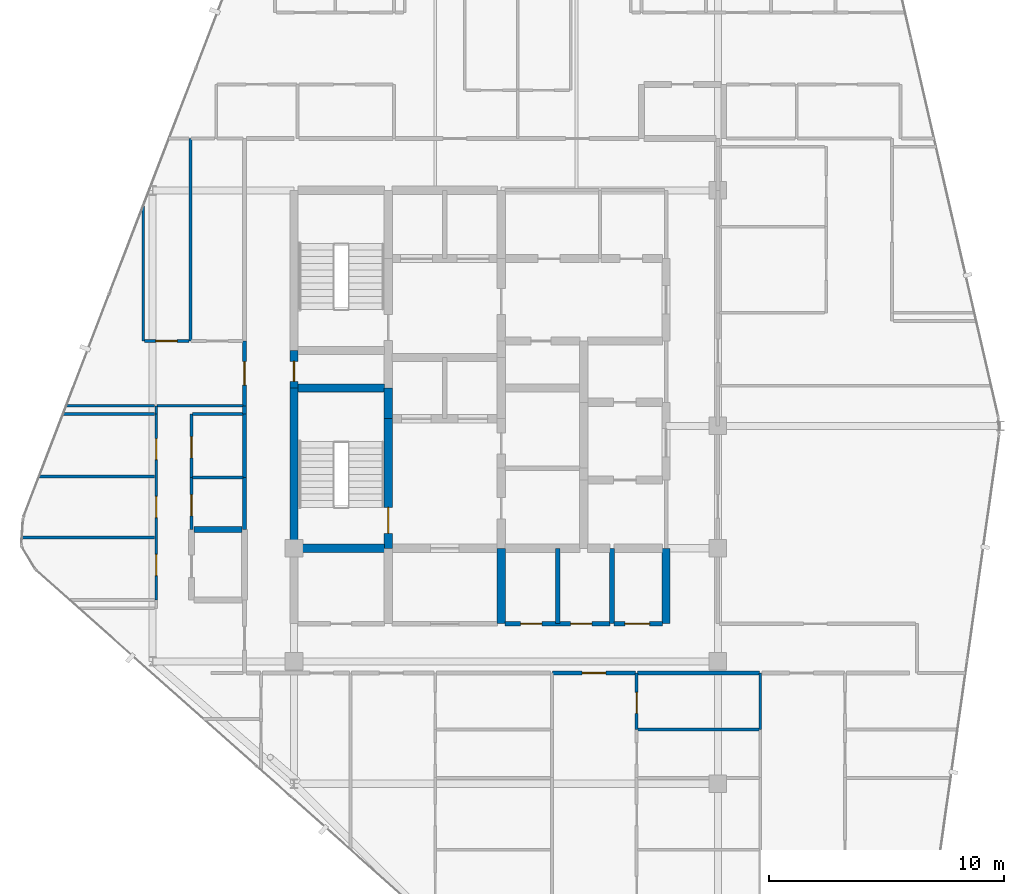
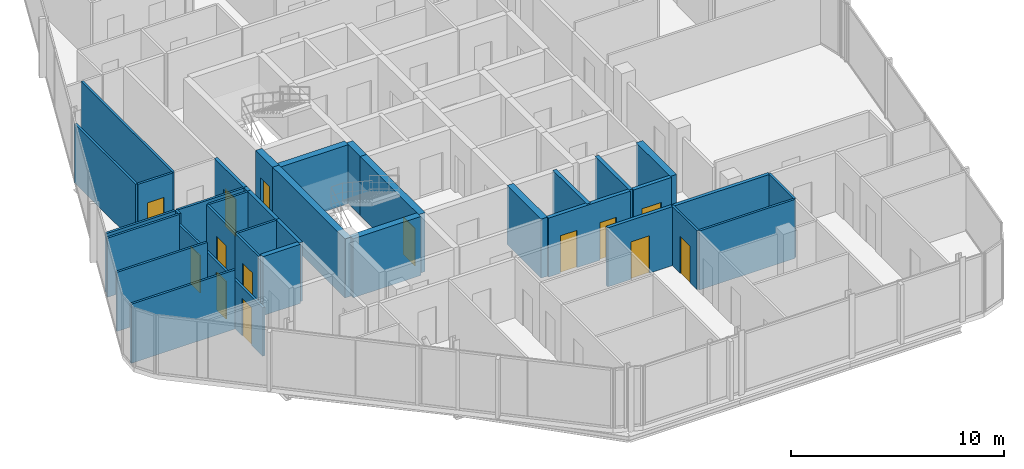
# One storey, part 23 of 28: 36 walls, 14 doors, 14 openings.
"""IFC4 building model written with IfcOpenShell, lengths in metres."""

from ifc_helpers import new_model, si_unit, direction, frame, frame_2d, origin, place, context, subcontext, project, spatial, rectangle, extrude, material, layer, layer_set, type_object, element, fill, save


model = new_model("IFC4")

# Units and contexts
model_context = context("Model", 3, precision=1e-05, world=origin(), true_north=direction((0.0, 1.0)))
body_context = subcontext(model_context, "Body", "Model", "MODEL_VIEW")
ifc_project = project(units=[si_unit("LENGTHUNIT", "METRE"), si_unit("AREAUNIT", "SQUARE_METRE"), si_unit("VOLUMEUNIT", "CUBIC_METRE"), si_unit("PLANEANGLEUNIT", "RADIAN"), si_unit("MASSUNIT", "GRAM", prefix="KILO")], contexts=[model_context])

# Site, building, storey
site_placement = place(None, origin())
site = spatial("IfcSite", under=ifc_project, at=site_placement, CompositionType="ELEMENT")
building_placement = place(site_placement, origin())
building = spatial("IfcBuilding", under=site, at=building_placement, Name="Keshet Zoharim Tower", CompositionType="ELEMENT")
storey_placement = place(building_placement, frame((0.0, 0.0, 258.39990234375)))
storey = spatial("IfcBuildingStorey", under=building, at=storey_placement, Name="L64", CompositionType="ELEMENT", Elevation=258.39990234375)

# Wall
ifc_material_1 = material(Name="Concrete C60/75", Category="concrete")
ifc_layer_1 = layer(ifc_material_1, 0.35009765625)
ifc_layer_set_1 = layer_set([ifc_layer_1], Name="Concrete C60/75")
wall_type_1 = type_object("IfcWallType", Name="WL-CORE-350", PredefinedType="SHEAR", material=ifc_layer_set_1)
wall_1_placement = place(storey_placement, frame((15.0, 22.699951171875, 0.0), z_axis=(0.0, 0.0, 1.0), x_axis=(0.0, 1.0, 0.0)))
element("IfcWall", 1, at=wall_1_placement, inside=storey, type_object=wall_type_1, Name="L64 Core Shear Wall 021", PredefinedType="SHEAR", context=body_context, shape_type="SweptSolid", body=[
    extrude(rectangle(XDim=6.800048828125, YDim=0.35009765625, at=frame_2d((3.39990234375, 0.0))), origin(), (0.0, 0.0, 1.0), 3.39013671875),
])

# Wall, opening, door
wall_2_placement = place(storey_placement, frame((15.0, 29.5, 0.0), z_axis=(0.0, 0.0, 1.0), x_axis=(0.0, 1.0, 0.0)))
wall_2 = element("IfcWall", 2, at=wall_2_placement, inside=storey, type_object=wall_type_1, Name="L64 Core Shear Wall 022", PredefinedType="SHEAR", context=body_context, shape_type="SweptSolid", body=[
    extrude(rectangle(XDim=1.60009765625, YDim=0.35009765625, at=frame_2d((0.800048828125, 0.0))), origin(), (0.0, 0.0, 1.0), 3.39013671875),
])
opening_1_placement = place(wall_2_placement, frame((0.287109375, 0.0, 0.0)))
opening_1 = element("IfcOpeningElement", 3, at=opening_1_placement, cuts=wall_2, Name="Opening D-RS85", PredefinedType="OPENING", context=body_context, shape_type="SweptSolid", body=[
    extrude(rectangle(XDim=0.85009765625, YDim=2.10009765625, at=frame_2d((0.425048828125, 1.050048828125))), frame((0.0, 0.18505859375, 0.0), z_axis=(0.0, -1.0, 0.0), x_axis=(1.0, 0.0, 0.0)), (0.0, 0.0, 1.0), 0.3701171875),
])
ifc_material_2 = material(Name="Hardwood Timber", Category="wood")
door_type_1 = type_object("IfcDoorType", Name="DR-RIS-085", OperationType="NOTDEFINED", PredefinedType="DOOR", material=ifc_material_2)
door_1_placement = place(opening_1_placement, origin())
door_1 = element("IfcDoor", 4, at=door_1_placement, inside=storey, type_object=door_type_1, Name="L64 Electrical Riser Access Cupboard Door", OperationType="SINGLE_SWING_RIGHT", OverallHeight=2.10009765625, OverallWidth=0.85009765625, PredefinedType="DOOR", context=body_context, shape_type="SweptSolid", body=[
    extrude(rectangle(XDim=0.85009765625, YDim=2.10009765625, at=frame_2d((0.425048828125, 1.050048828125))), frame((0.0, 0.02490234375, 0.0), z_axis=(0.0, -1.0, 0.0), x_axis=(1.0, 0.0, 0.0)), (0.0, 0.0, 1.0), 0.050048828125),
])
fill(opening_1, door_1)

wall_3_placement = place(storey_placement, frame((19.0, 22.699951171875, 0.0), z_axis=(0.0, 0.0, 1.0), x_axis=(0.0, 1.0, 0.0)))
wall_3 = element("IfcWall", 5, at=wall_3_placement, inside=storey, type_object=wall_type_1, Name="L64 Core Shear Wall 028", PredefinedType="SHEAR", context=body_context, shape_type="SweptSolid", body=[
    extrude(rectangle(XDim=5.5, YDim=0.35009765625, at=frame_2d((2.75, 0.0))), origin(), (0.0, 0.0, 1.0), 3.39013671875),
])
opening_2_placement = place(wall_3_placement, frame((0.631103515625, 0.0, 0.0)))
opening_2 = element("IfcOpeningElement", 6, at=opening_2_placement, cuts=wall_3, Name="Opening D-F611", PredefinedType="OPENING", context=body_context, shape_type="SweptSolid", body=[
    extrude(rectangle(XDim=1.10009765625, YDim=2.14990234375, at=frame_2d((0.550048828125, 1.074951171875))), frame((0.0, 0.18505859375, 0.0), z_axis=(0.0, -1.0, 0.0), x_axis=(1.0, 0.0, 0.0)), (0.0, 0.0, 1.0), 0.3701171875),
])
door_type_2 = type_object("IfcDoorType", Name="DR-FD60-110", OperationType="NOTDEFINED", PredefinedType="DOOR", material=ifc_material_2)
door_2_placement = place(opening_2_placement, origin())
door_2 = element("IfcDoor", 7, at=door_2_placement, inside=storey, type_object=door_type_2, Name="L64 Exit Stair ST-01 Fire Door", OperationType="SINGLE_SWING_LEFT", OverallHeight=2.14990234375, OverallWidth=1.10009765625, PredefinedType="DOOR", context=body_context, shape_type="SweptSolid", body=[
    extrude(rectangle(XDim=1.10009765625, YDim=2.14990234375, at=frame_2d((0.550048828125, 1.074951171875))), frame((0.0, 0.02490234375, 0.0), z_axis=(0.0, -1.0, 0.0), x_axis=(1.0, 0.0, 0.0)), (0.0, 0.0, 1.0), 0.050048828125),
])
fill(opening_2, door_2)

# Walls
wall_4_placement = place(storey_placement, frame((19.0, 28.199951171875, 0.0), z_axis=(0.0, 0.0, 1.0), x_axis=(0.0, 1.0, 0.0)))
element("IfcWall", 8, at=wall_4_placement, inside=storey, type_object=wall_type_1, Name="L64 Core Shear Wall 029", PredefinedType="SHEAR", context=body_context, shape_type="SweptSolid", body=[
    extrude(rectangle(XDim=1.300048828125, YDim=0.35009765625, at=frame_2d((0.64990234375, 0.0))), origin(), (0.0, 0.0, 1.0), 3.39013671875),
])
for number, where, z_axis, x_axis, name in (
    (9, (23.800048828125, 19.5, 0.0), (0.0, 0.0, 1.0), (0.0, 1.0, 0.0), "L64 Core Shear Wall 041"),
    (10, (30.800048828125, 19.5, 0.0), (0.0, 0.0, 1.0), (0.0, 1.0, 0.0), "L64 Core Shear Wall 067"),
):
    element("IfcWall", number, at=place(storey_placement, frame(where, z_axis=z_axis, x_axis=x_axis)), inside=storey, type_object=wall_type_1, Name=name, PredefinedType="SHEAR", context=body_context, shape_type="SweptSolid", body=[
        extrude(rectangle(XDim=3.199951171875, YDim=0.35009765625, at=frame_2d((1.60009765625, 0.0))), origin(), (0.0, 0.0, 1.0), 3.39013671875),
    ])
for number, where, z_axis, x_axis, name in (
    (11, (15.159912109375, 22.699951171875, 0.0), (0.0, 0.0, 1.0), (1.0, 0.0, 0.0), "L64 Core Shear Wall 123"),
    (12, (15.159912109375, 29.5, 0.0), (0.0, 0.0, 1.0), (1.0, 0.0, 0.0), "L64 Core Shear Wall 140"),
):
    element("IfcWall", number, at=place(storey_placement, frame(where, z_axis=z_axis, x_axis=x_axis)), inside=storey, type_object=wall_type_1, Name=name, PredefinedType="SHEAR", context=body_context, shape_type="SweptSolid", body=[
        extrude(rectangle(XDim=3.68017578125, YDim=0.35009765625, at=frame_2d((1.840087890625, 0.0))), origin(), (0.0, 0.0, 1.0), 3.39013671875),
    ])
ifc_material_3 = material(Name="Gypsum Plasterboard", Category="gypsum")
ifc_layer_2 = layer(ifc_material_3, 0.179931640625)
ifc_layer_set_2 = layer_set([ifc_layer_2], Name="Gypsum Plasterboard")
wall_type_2 = type_object("IfcWallType", Name="WL-CORR-180", PredefinedType="STANDARD", material=ifc_layer_set_2)
wall_5_placement = place(storey_placement, frame((12.89990234375, 23.501953125, 0.0), z_axis=(0.0, 0.0, 1.0), x_axis=(0.0, 1.0, 0.0)))
element("IfcWall", 13, at=wall_5_placement, inside=storey, type_object=wall_type_2, Name="L64 Interior Wall 012", PredefinedType="STANDARD", context=body_context, shape_type="SweptSolid", body=[
    extrude(rectangle(XDim=2.212158203125, YDim=0.179931640625, at=frame_2d((1.10595703125, 0.0))), origin(), (0.0, 0.0, 1.0), 3.39013671875),
])
wall_6_placement = place(storey_placement, frame((12.89990234375, 25.714111328125, 0.0), z_axis=(0.0, 0.0, 1.0), x_axis=(0.0, 1.0, 0.0)))
element("IfcWall", 14, at=wall_6_placement, inside=storey, type_object=wall_type_2, Name="L64 Interior Wall 013", PredefinedType="STANDARD", context=body_context, shape_type="SweptSolid", body=[
    extrude(rectangle(XDim=2.685791015625, YDim=0.179931640625, at=frame_2d((1.3427734375, 0.0))), origin(), (0.0, 0.0, 1.0), 3.39013671875),
])
wall_7_placement = place(storey_placement, frame((12.89990234375, 28.39990234375, 0.0), z_axis=(0.0, 0.0, 1.0), x_axis=(0.0, 1.0, 0.0)))
element("IfcWall", 15, at=wall_7_placement, inside=storey, type_object=wall_type_2, Name="L64 Interior Wall 014", PredefinedType="STANDARD", context=body_context, shape_type="SweptSolid", body=[
    extrude(rectangle(XDim=0.35009765625, YDim=0.179931640625, at=frame_2d((0.175048828125, 0.0))), origin(), (0.0, 0.0, 1.0), 3.39013671875),
])

# Wall, opening, door
wall_8_placement = place(storey_placement, frame((12.89990234375, 28.75, 0.0), z_axis=(0.0, 0.0, 1.0), x_axis=(0.0, 1.0, 0.0)))
wall_8 = element("IfcWall", 16, at=wall_8_placement, inside=storey, type_object=wall_type_2, Name="L64 Interior Wall 015", PredefinedType="STANDARD", context=body_context, shape_type="SweptSolid", body=[
    extrude(rectangle(XDim=2.75, YDim=0.179931640625, at=frame_2d((1.375, 0.0))), origin(), (0.0, 0.0, 1.0), 3.39013671875),
])
opening_3_placement = place(wall_8_placement, frame((0.875, 0.0, 0.0)))
opening_3 = element("IfcOpeningElement", 17, at=opening_3_placement, cuts=wall_8, Name="Opening D-F310", PredefinedType="OPENING", context=body_context, shape_type="SweptSolid", body=[
    extrude(rectangle(XDim=1.0, YDim=2.14990234375, at=frame_2d((0.5, 1.074951171875))), frame((0.0, 0.10009765625, 0.0), z_axis=(0.0, -1.0, 0.0), x_axis=(1.0, 0.0, 0.0)), (0.0, 0.0, 1.0), 0.199951171875),
])
door_type_3 = type_object("IfcDoorType", Name="DR-FD30-100", OperationType="NOTDEFINED", PredefinedType="DOOR", material=ifc_material_2)
door_3_placement = place(opening_3_placement, origin())
door_3 = element("IfcDoor", 18, at=door_3_placement, inside=storey, type_object=door_type_3, Name="Apartment 6408 Entrance Door", OperationType="SINGLE_SWING_LEFT", OverallHeight=2.14990234375, OverallWidth=1.0, PredefinedType="DOOR", context=body_context, shape_type="SweptSolid", body=[
    extrude(rectangle(XDim=1.0, YDim=2.14990234375, at=frame_2d((0.5, 1.074951171875))), frame((0.0, 0.02490234375, 0.0), z_axis=(0.0, -1.0, 0.0), x_axis=(1.0, 0.0, 0.0)), (0.0, 0.0, 1.0), 0.050048828125),
])
fill(opening_3, door_3)

wall_9_placement = place(storey_placement, frame((25.985107421875, 17.39990234375, 0.0), z_axis=(0.0, 0.0, 1.0), x_axis=(1.0, 0.0, 0.0)))
wall_9 = element("IfcWall", 19, at=wall_9_placement, inside=storey, type_object=wall_type_2, Name="L64 Interior Wall 110", PredefinedType="STANDARD", context=body_context, shape_type="SweptSolid", body=[
    extrude(rectangle(XDim=3.510009765625, YDim=0.179931640625, at=frame_2d((1.7548828125, 0.0))), origin(), (0.0, 0.0, 1.0), 3.39013671875),
])
opening_4_placement = place(wall_9_placement, frame((1.2548828125, 0.0, 0.0)))
opening_4 = element("IfcOpeningElement", 20, at=opening_4_placement, cuts=wall_9, Name="Opening D-F310", PredefinedType="OPENING", context=body_context, shape_type="SweptSolid", body=[
    extrude(rectangle(XDim=1.0, YDim=2.14990234375, at=frame_2d((0.5, 1.074951171875))), frame((0.0, 0.10009765625, 0.0), z_axis=(0.0, -1.0, 0.0), x_axis=(1.0, 0.0, 0.0)), (0.0, 0.0, 1.0), 0.199951171875),
])
door_4_placement = place(opening_4_placement, origin())
door_4 = element("IfcDoor", 21, at=door_4_placement, inside=storey, type_object=door_type_3, Name="Apartment 6403 Entrance Door", OperationType="SINGLE_SWING_RIGHT", OverallHeight=2.14990234375, OverallWidth=1.0, PredefinedType="DOOR", context=body_context, shape_type="SweptSolid", body=[
    extrude(rectangle(XDim=1.0, YDim=2.14990234375, at=frame_2d((0.5, 1.074951171875))), frame((0.0, 0.02490234375, 0.0), z_axis=(0.0, -1.0, 0.0), x_axis=(1.0, 0.0, 0.0)), (0.0, 0.0, 1.0), 0.050048828125),
])
fill(opening_4, door_4)

# Walls
wall_10_placement = place(storey_placement, frame((29.5849609375, 17.39990234375, 0.0), z_axis=(0.0, 0.0, 1.0), x_axis=(1.0, 0.0, 0.0)))
element("IfcWall", 22, at=wall_10_placement, inside=storey, type_object=wall_type_2, Name="L64 Interior Wall 111", PredefinedType="STANDARD", context=body_context, shape_type="SweptSolid", body=[
    extrude(rectangle(XDim=5.18994140625, YDim=0.179931640625, at=frame_2d((2.594970703125, 0.0))), origin(), (0.0, 0.0, 1.0), 3.39013671875),
])
ifc_material_4 = material(Name="Concrete C50/60", Category="concrete")
ifc_layer_3 = layer(ifc_material_4, 0.199951171875)
ifc_layer_set_3 = layer_set([ifc_layer_3], Name="Concrete C50/60")
wall_type_3 = type_object("IfcWallType", Name="WL-FIRE-200", PredefinedType="STANDARD", material=ifc_layer_set_3)
for number, where, z_axis, x_axis, name in (
    (23, (26.199951171875, 19.5, 0.0), (0.0, 0.0, 1.0), (0.0, 1.0, 0.0), "L64 Interior Wall 053"),
    (24, (28.5, 19.5, 0.0), (0.0, 0.0, 1.0), (0.0, 1.0, 0.0), "L64 Interior Wall 060"),
):
    element("IfcWall", number, at=place(storey_placement, frame(where, z_axis=z_axis, x_axis=x_axis)), inside=storey, type_object=wall_type_3, Name=name, PredefinedType="STANDARD", context=body_context, shape_type="SweptSolid", body=[
        extrude(rectangle(XDim=3.199951171875, YDim=0.199951171875, at=frame_2d((1.60009765625, 0.0))), origin(), (0.0, 0.0, 1.0), 3.39013671875),
    ])

# Wall, openings, doors
wall_11_placement = place(storey_placement, frame((23.9599609375, 19.5, 0.0), z_axis=(0.0, 0.0, 1.0), x_axis=(1.0, 0.0, 0.0)))
wall_11 = element("IfcWall", 25, at=wall_11_placement, inside=storey, type_object=wall_type_3, Name="L64 Interior Wall 117", PredefinedType="STANDARD", context=body_context, shape_type="SweptSolid", body=[
    extrude(rectangle(XDim=4.455078125, YDim=0.199951171875, at=frame_2d((2.2275390625, 0.0))), origin(), (0.0, 0.0, 1.0), 3.39013671875),
])
opening_5_placement = place(wall_11_placement, frame((0.6650390625, 0.0, 0.0)))
opening_5 = element("IfcOpeningElement", 26, at=opening_5_placement, cuts=wall_11, Name="Opening D-F690", PredefinedType="OPENING", context=body_context, shape_type="SweptSolid", body=[
    extrude(rectangle(XDim=0.89990234375, YDim=2.14990234375, at=frame_2d((0.449951171875, 1.074951171875))), frame((0.0, 0.10986328125, 0.0), z_axis=(0.0, -1.0, 0.0), x_axis=(1.0, 0.0, 0.0)), (0.0, 0.0, 1.0), 0.219970703125),
])
opening_6_placement = place(wall_11_placement, frame((2.791015625, 0.0, 0.0)))
opening_6 = element("IfcOpeningElement", 27, at=opening_6_placement, cuts=wall_11, Name="Opening D-F690", PredefinedType="OPENING", context=body_context, shape_type="SweptSolid", body=[
    extrude(rectangle(XDim=0.89990234375, YDim=2.14990234375, at=frame_2d((0.449951171875, 1.074951171875))), frame((0.0, 0.10986328125, 0.0), z_axis=(0.0, -1.0, 0.0), x_axis=(1.0, 0.0, 0.0)), (0.0, 0.0, 1.0), 0.219970703125),
])
door_type_4 = type_object("IfcDoorType", Name="DR-FD60-090", OperationType="NOTDEFINED", PredefinedType="DOOR", material=ifc_material_2)
door_5_placement = place(opening_5_placement, origin())
door_5 = element("IfcDoor", 28, at=door_5_placement, inside=storey, type_object=door_type_4, Name="L64 Switchgear Room Door", OperationType="SINGLE_SWING_RIGHT", OverallHeight=2.14990234375, OverallWidth=0.89990234375, PredefinedType="DOOR", context=body_context, shape_type="SweptSolid", body=[
    extrude(rectangle(XDim=0.89990234375, YDim=2.14990234375, at=frame_2d((0.449951171875, 1.074951171875))), frame((0.0, 0.02490234375, 0.0), z_axis=(0.0, -1.0, 0.0), x_axis=(1.0, 0.0, 0.0)), (0.0, 0.0, 1.0), 0.050048828125),
])
fill(opening_5, door_5)
door_6_placement = place(opening_6_placement, origin())
door_6 = element("IfcDoor", 29, at=door_6_placement, inside=storey, type_object=door_type_4, Name="L64 Telecom Room Door", OperationType="SINGLE_SWING_LEFT", OverallHeight=2.14990234375, OverallWidth=0.89990234375, PredefinedType="DOOR", context=body_context, shape_type="SweptSolid", body=[
    extrude(rectangle(XDim=0.89990234375, YDim=2.14990234375, at=frame_2d((0.449951171875, 1.074951171875))), frame((0.0, 0.02490234375, 0.0), z_axis=(0.0, -1.0, 0.0), x_axis=(1.0, 0.0, 0.0)), (0.0, 0.0, 1.0), 0.050048828125),
])
fill(opening_6, door_6)

# Wall, opening, door
wall_12_placement = place(storey_placement, frame((28.5849609375, 19.5, 0.0), z_axis=(0.0, 0.0, 1.0), x_axis=(1.0, 0.0, 0.0)))
wall_12 = element("IfcWall", 30, at=wall_12_placement, inside=storey, type_object=wall_type_3, Name="L64 Interior Wall 118", PredefinedType="STANDARD", context=body_context, shape_type="SweptSolid", body=[
    extrude(rectangle(XDim=2.054931640625, YDim=0.199951171875, at=frame_2d((1.02734375, 0.0))), origin(), (0.0, 0.0, 1.0), 3.39013671875),
])
opening_7_placement = place(wall_12_placement, frame((0.466064453125, 0.0, 0.0)))
opening_7 = element("IfcOpeningElement", 31, at=opening_7_placement, cuts=wall_12, Name="Opening D-AC10", PredefinedType="OPENING", context=body_context, shape_type="SweptSolid", body=[
    extrude(rectangle(XDim=1.050048828125, YDim=2.14990234375, at=frame_2d((0.52490234375, 1.074951171875))), frame((0.0, 0.10986328125, 0.0), z_axis=(0.0, -1.0, 0.0), x_axis=(1.0, 0.0, 0.0)), (0.0, 0.0, 1.0), 0.219970703125),
])
door_type_5 = type_object("IfcDoorType", Name="DR-ACC-105", OperationType="NOTDEFINED", PredefinedType="DOOR", material=ifc_material_2)
door_7_placement = place(opening_7_placement, origin())
door_7 = element("IfcDoor", 32, at=door_7_placement, inside=storey, type_object=door_type_5, Name="L64 Accessible WC Door", OperationType="SINGLE_SWING_RIGHT", OverallHeight=2.14990234375, OverallWidth=1.050048828125, PredefinedType="DOOR", context=body_context, shape_type="SweptSolid", body=[
    extrude(rectangle(XDim=1.050048828125, YDim=2.14990234375, at=frame_2d((0.52490234375, 1.074951171875))), frame((0.0, 0.02490234375, 0.0), z_axis=(0.0, -1.0, 0.0), x_axis=(1.0, 0.0, 0.0)), (0.0, 0.0, 1.0), 0.050048828125),
])
fill(opening_7, door_7)

# Walls
ifc_layer_4 = layer(ifc_material_4, 0.25)
ifc_layer_set_4 = layer_set([ifc_layer_4], Name="Concrete C50/60")
wall_type_4 = type_object("IfcWallType", Name="WL-MAMAD-250", PredefinedType="STANDARD", material=ifc_layer_set_4)
wall_13_placement = place(storey_placement, frame((10.760009765625, 23.5, 0.0), z_axis=(0.0, 0.0, 1.0), x_axis=(1.0, 0.0, 0.0)))
element("IfcWall", 33, at=wall_13_placement, inside=storey, type_object=wall_type_4, Name="L64 Interior Wall 129", PredefinedType="STANDARD", context=body_context, shape_type="SweptSolid", body=[
    extrude(rectangle(XDim=2.030029296875, YDim=0.25, at=frame_2d((1.01513671875, 0.0))), origin(), (0.0, 0.0, 1.0), 3.39013671875),
])
ifc_layer_5 = layer(ifc_material_3, 0.1201171875)
ifc_layer_set_5 = layer_set([ifc_layer_5], Name="Gypsum Plasterboard")
wall_type_5 = type_object("IfcWallType", Name="WL-PART-120", PredefinedType="PARTITIONING", material=ifc_layer_set_5)
wall_14_placement = place(storey_placement, frame((8.60009765625, 31.5, 0.0), z_axis=(0.0, 0.0, 1.0), x_axis=(0.0, 1.0, 0.0)))
element("IfcWall", 34, at=wall_14_placement, inside=storey, type_object=wall_type_5, Name="L64 Interior Wall 001", PredefinedType="PARTITIONING", context=body_context, shape_type="SweptSolid", body=[
    extrude(rectangle(XDim=5.75, YDim=0.1201171875, at=frame_2d((2.875, 0.0))), origin(), (0.0, 0.0, 1.0), 3.39013671875),
])

# Wall, openings, doors
wall_15_placement = place(storey_placement, frame((9.14990234375, 20.5, 0.0), z_axis=(0.0, 0.0, 1.0), x_axis=(0.0, 1.0, 0.0)))
wall_15 = element("IfcWall", 35, at=wall_15_placement, inside=storey, type_object=wall_type_5, Name="L64 Interior Wall 003", PredefinedType="PARTITIONING", context=body_context, shape_type="SweptSolid", body=[
    extrude(rectangle(XDim=7.89990234375, YDim=0.1201171875, at=frame_2d((3.949951171875, 0.0))), origin(), (0.0, 0.0, 1.0), 2.7900390625),
])
opening_8_placement = place(wall_15_placement, frame((1.041015625, 0.0, 0.0)))
opening_8 = element("IfcOpeningElement", 36, at=opening_8_placement, cuts=wall_15, Name="Opening D-IN90", PredefinedType="OPENING", context=body_context, shape_type="SweptSolid", body=[
    extrude(rectangle(XDim=0.89990234375, YDim=2.14990234375, at=frame_2d((0.449951171875, 1.074951171875))), frame((0.0, 0.070068359375, 0.0), z_axis=(0.0, -1.0, 0.0), x_axis=(1.0, 0.0, 0.0)), (0.0, 0.0, 1.0), 0.14013671875),
])
opening_9_placement = place(wall_15_placement, frame((3.5, 0.0, 0.0)))
opening_9 = element("IfcOpeningElement", 37, at=opening_9_placement, cuts=wall_15, Name="Opening D-IN90", PredefinedType="OPENING", context=body_context, shape_type="SweptSolid", body=[
    extrude(rectangle(XDim=0.89990234375, YDim=2.14990234375, at=frame_2d((0.449951171875, 1.074951171875))), frame((0.0, 0.070068359375, 0.0), z_axis=(0.0, -1.0, 0.0), x_axis=(1.0, 0.0, 0.0)), (0.0, 0.0, 1.0), 0.14013671875),
])
opening_10_placement = place(wall_15_placement, frame((5.958984375, 0.0, 0.0)))
opening_10 = element("IfcOpeningElement", 38, at=opening_10_placement, cuts=wall_15, Name="Opening D-IN90", PredefinedType="OPENING", context=body_context, shape_type="SweptSolid", body=[
    extrude(rectangle(XDim=0.89990234375, YDim=2.14990234375, at=frame_2d((0.449951171875, 1.074951171875))), frame((0.0, 0.070068359375, 0.0), z_axis=(0.0, -1.0, 0.0), x_axis=(1.0, 0.0, 0.0)), (0.0, 0.0, 1.0), 0.14013671875),
])
door_type_6 = type_object("IfcDoorType", Name="DR-INT-090", OperationType="NOTDEFINED", PredefinedType="DOOR", material=ifc_material_2)
door_8_placement = place(opening_8_placement, origin())
door_8 = element("IfcDoor", 39, at=door_8_placement, inside=storey, type_object=door_type_6, Name="Apartment 6407 Bedroom 1 Door", OperationType="SINGLE_SWING_RIGHT", OverallHeight=2.14990234375, OverallWidth=0.89990234375, PredefinedType="DOOR", context=body_context, shape_type="SweptSolid", body=[
    extrude(rectangle(XDim=0.89990234375, YDim=2.14990234375, at=frame_2d((0.449951171875, 1.074951171875))), frame((0.0, 0.02490234375, 0.0), z_axis=(0.0, -1.0, 0.0), x_axis=(1.0, 0.0, 0.0)), (0.0, 0.0, 1.0), 0.050048828125),
])
fill(opening_8, door_8)
door_9_placement = place(opening_9_placement, origin())
door_9 = element("IfcDoor", 40, at=door_9_placement, inside=storey, type_object=door_type_6, Name="Apartment 6407 Bedroom 2 Door", OperationType="SINGLE_SWING_LEFT", OverallHeight=2.14990234375, OverallWidth=0.89990234375, PredefinedType="DOOR", context=body_context, shape_type="SweptSolid", body=[
    extrude(rectangle(XDim=0.89990234375, YDim=2.14990234375, at=frame_2d((0.449951171875, 1.074951171875))), frame((0.0, 0.02490234375, 0.0), z_axis=(0.0, -1.0, 0.0), x_axis=(1.0, 0.0, 0.0)), (0.0, 0.0, 1.0), 0.050048828125),
])
fill(opening_9, door_9)
door_10_placement = place(opening_10_placement, origin())
door_10 = element("IfcDoor", 41, at=door_10_placement, inside=storey, type_object=door_type_6, Name="Apartment 6407 Bedroom 3 Door", OperationType="SINGLE_SWING_RIGHT", OverallHeight=2.14990234375, OverallWidth=0.89990234375, PredefinedType="DOOR", context=body_context, shape_type="SweptSolid", body=[
    extrude(rectangle(XDim=0.89990234375, YDim=2.14990234375, at=frame_2d((0.449951171875, 1.074951171875))), frame((0.0, 0.02490234375, 0.0), z_axis=(0.0, -1.0, 0.0), x_axis=(1.0, 0.0, 0.0)), (0.0, 0.0, 1.0), 0.050048828125),
])
fill(opening_10, door_10)

# Wall
wall_16_placement = place(storey_placement, frame((9.14990234375, 28.39990234375, 0.0), z_axis=(0.0, 0.0, 1.0), x_axis=(0.0, 1.0, 0.0)))
element("IfcWall", 42, at=wall_16_placement, inside=storey, type_object=wall_type_5, Name="L64 Interior Wall 004", PredefinedType="PARTITIONING", context=body_context, shape_type="SweptSolid", body=[
    extrude(rectangle(XDim=0.35009765625, YDim=0.1201171875, at=frame_2d((0.175048828125, 0.0))), origin(), (0.0, 0.0, 1.0), 3.39013671875),
])

# Wall, opening, door
wall_17_placement = place(storey_placement, frame((10.64990234375, 25.714111328125, 0.0), z_axis=(0.0, 0.0, 1.0), x_axis=(0.0, 1.0, 0.0)))
wall_17 = element("IfcWall", 43, at=wall_17_placement, inside=storey, type_object=wall_type_5, Name="L64 Interior Wall 008", PredefinedType="PARTITIONING", context=body_context, shape_type="SweptSolid", body=[
    extrude(rectangle(XDim=2.685791015625, YDim=0.1201171875, at=frame_2d((1.3427734375, 0.0))), origin(), (0.0, 0.0, 1.0), 3.39013671875),
])
opening_11_placement = place(wall_17_placement, frame((0.822021484375, 0.0, 0.0)))
opening_11 = element("IfcOpeningElement", 44, at=opening_11_placement, cuts=wall_17, Name="Opening D-IN90", PredefinedType="OPENING", context=body_context, shape_type="SweptSolid", body=[
    extrude(rectangle(XDim=0.89990234375, YDim=2.14990234375, at=frame_2d((0.449951171875, 1.074951171875))), frame((0.0, 0.070068359375, 0.0), z_axis=(0.0, -1.0, 0.0), x_axis=(1.0, 0.0, 0.0)), (0.0, 0.0, 1.0), 0.14013671875),
])
door_11_placement = place(opening_11_placement, origin())
door_11 = element("IfcDoor", 45, at=door_11_placement, inside=storey, type_object=door_type_6, Name="Apartment 6407 Kitchen Door", OperationType="SINGLE_SWING_LEFT", OverallHeight=2.14990234375, OverallWidth=0.89990234375, PredefinedType="DOOR", context=body_context, shape_type="SweptSolid", body=[
    extrude(rectangle(XDim=0.89990234375, YDim=2.14990234375, at=frame_2d((0.449951171875, 1.074951171875))), frame((0.0, 0.02490234375, 0.0), z_axis=(0.0, -1.0, 0.0), x_axis=(1.0, 0.0, 0.0)), (0.0, 0.0, 1.0), 0.050048828125),
])
fill(opening_11, door_11)

# Walls
wall_18_placement = place(storey_placement, frame((3.451904296875, 23.14990234375, 0.0), z_axis=(0.0, 0.0, 1.0), x_axis=(1.0, 0.0, 0.0)))
element("IfcWall", 46, at=wall_18_placement, inside=storey, type_object=wall_type_5, Name="L64 Interior Wall 128", PredefinedType="PARTITIONING", context=body_context, shape_type="SweptSolid", body=[
    extrude(rectangle(XDim=5.633056640625, YDim=0.1201171875, at=frame_2d((2.81640625, 0.0))), origin(), (0.0, 0.0, 1.0), 3.39013671875),
])
wall_19_placement = place(storey_placement, frame((4.18310546875, 25.75, 0.0), z_axis=(0.0, 0.0, 1.0), x_axis=(1.0, 0.0, 0.0)))
element("IfcWall", 47, at=wall_19_placement, inside=storey, type_object=wall_type_5, Name="L64 Interior Wall 132", PredefinedType="PARTITIONING", context=body_context, shape_type="SweptSolid", body=[
    extrude(rectangle(XDim=4.90185546875, YDim=0.1201171875, at=frame_2d((2.450927734375, 0.0))), origin(), (0.0, 0.0, 1.0), 3.39013671875),
])
wall_20_placement = place(storey_placement, frame((5.201904296875, 28.39990234375, 0.0), z_axis=(0.0, 0.0, 1.0), x_axis=(1.0, 0.0, 0.0)))
element("IfcWall", 48, at=wall_20_placement, inside=storey, type_object=wall_type_5, Name="L64 Interior Wall 135", PredefinedType="PARTITIONING", context=body_context, shape_type="SweptSolid", body=[
    extrude(rectangle(XDim=3.883056640625, YDim=0.1201171875, at=frame_2d((1.94140625, 0.0))), origin(), (0.0, 0.0, 1.0), 3.39013671875),
])
wall_21_placement = place(storey_placement, frame((10.695068359375, 28.39990234375, 0.0), z_axis=(0.0, 0.0, 1.0), x_axis=(1.0, 0.0, 0.0)))
element("IfcWall", 49, at=wall_21_placement, inside=storey, type_object=wall_type_5, Name="L64 Interior Wall 136", PredefinedType="PARTITIONING", context=body_context, shape_type="SweptSolid", body=[
    extrude(rectangle(XDim=2.1298828125, YDim=0.1201171875, at=frame_2d((1.06494140625, 0.0))), origin(), (0.0, 0.0, 1.0), 3.39013671875),
])
wall_22_placement = place(storey_placement, frame((5.3369140625, 28.75, 0.0), z_axis=(0.0, 0.0, 1.0), x_axis=(1.0, 0.0, 0.0)))
element("IfcWall", 50, at=wall_22_placement, inside=storey, type_object=wall_type_5, Name="L64 Interior Wall 137", PredefinedType="PARTITIONING", context=body_context, shape_type="SweptSolid", body=[
    extrude(rectangle(XDim=3.748046875, YDim=0.1201171875, at=frame_2d((1.8740234375, 0.0))), origin(), (0.0, 0.0, 1.0), 3.39013671875),
])
wall_23_placement = place(storey_placement, frame((9.175048828125, 28.75, 0.0), z_axis=(0.0, 0.0, 1.0), x_axis=(1.0, 0.0, 0.0)))
element("IfcWall", 51, at=wall_23_placement, inside=storey, type_object=wall_type_5, Name="L64 Interior Wall 138", PredefinedType="PARTITIONING", context=body_context, shape_type="SweptSolid", body=[
    extrude(rectangle(XDim=3.64990234375, YDim=0.1201171875, at=frame_2d((1.824951171875, 0.0))), origin(), (0.0, 0.0, 1.0), 3.39013671875),
])

# Wall, opening, door
wall_24_placement = place(storey_placement, frame((8.64501953125, 31.5, 0.0), z_axis=(0.0, 0.0, 1.0), x_axis=(1.0, 0.0, 0.0)))
wall_24 = element("IfcWall", 52, at=wall_24_placement, inside=storey, type_object=wall_type_5, Name="L64 Interior Wall 145", PredefinedType="PARTITIONING", context=body_context, shape_type="SweptSolid", body=[
    extrude(rectangle(XDim=1.887939453125, YDim=0.1201171875, at=frame_2d((0.94384765625, 0.0))), origin(), (0.0, 0.0, 1.0), 3.39013671875),
])
opening_12_placement = place(wall_24_placement, frame((0.493896484375, 0.0, 0.0)))
opening_12 = element("IfcOpeningElement", 53, at=opening_12_placement, cuts=wall_24, Name="Opening D-IN90", PredefinedType="OPENING", context=body_context, shape_type="SweptSolid", body=[
    extrude(rectangle(XDim=0.89990234375, YDim=2.14990234375, at=frame_2d((0.449951171875, 1.074951171875))), frame((0.0, 0.070068359375, 0.0), z_axis=(0.0, -1.0, 0.0), x_axis=(1.0, 0.0, 0.0)), (0.0, 0.0, 1.0), 0.14013671875),
])
door_12_placement = place(opening_12_placement, origin())
door_12 = element("IfcDoor", 54, at=door_12_placement, inside=storey, type_object=door_type_6, Name="Apartment 6408 Kitchen Door", OperationType="SINGLE_SWING_LEFT", OverallHeight=2.14990234375, OverallWidth=0.89990234375, PredefinedType="DOOR", context=body_context, shape_type="SweptSolid", body=[
    extrude(rectangle(XDim=0.89990234375, YDim=2.14990234375, at=frame_2d((0.449951171875, 1.074951171875))), frame((0.0, 0.02490234375, 0.0), z_axis=(0.0, -1.0, 0.0), x_axis=(1.0, 0.0, 0.0)), (0.0, 0.0, 1.0), 0.050048828125),
])
fill(opening_12, door_12)

# Wall
ifc_layer_6 = layer(ifc_material_3, 0.1201171875)
ifc_layer_set_6 = layer_set([ifc_layer_6], Name="Gypsum Plasterboard")
wall_type_6 = type_object("IfcWallType", Name="WL-WET-120", PredefinedType="PARTITIONING", material=ifc_layer_set_6)
wall_25_placement = place(storey_placement, frame((10.60009765625, 31.5, 0.0), z_axis=(0.0, 0.0, 1.0), x_axis=(0.0, 1.0, 0.0)))
element("IfcWall", 55, at=wall_25_placement, inside=storey, type_object=wall_type_6, Name="L64 Interior Wall 005", PredefinedType="PARTITIONING", context=body_context, shape_type="SweptSolid", body=[
    extrude(rectangle(XDim=8.60009765625, YDim=0.1201171875, at=frame_2d((4.300048828125, 0.0))), origin(), (0.0, 0.0, 1.0), 3.39013671875),
])

# Wall, opening, door
wall_26_placement = place(storey_placement, frame((10.64990234375, 23.501953125, 0.0), z_axis=(0.0, 0.0, 1.0), x_axis=(0.0, 1.0, 0.0)))
wall_26 = element("IfcWall", 56, at=wall_26_placement, inside=storey, type_object=wall_type_6, Name="L64 Interior Wall 007", PredefinedType="PARTITIONING", context=body_context, shape_type="SweptSolid", body=[
    extrude(rectangle(XDim=2.212158203125, YDim=0.1201171875, at=frame_2d((1.10595703125, 0.0))), origin(), (0.0, 0.0, 1.0), 3.39013671875),
])
opening_13_placement = place(wall_26_placement, frame((0.577880859375, 0.0, 0.0)))
opening_13 = element("IfcOpeningElement", 57, at=opening_13_placement, cuts=wall_26, Name="Opening D-WT90", PredefinedType="OPENING", context=body_context, shape_type="SweptSolid", body=[
    extrude(rectangle(XDim=0.89990234375, YDim=2.10009765625, at=frame_2d((0.449951171875, 1.050048828125))), frame((0.0, 0.070068359375, 0.0), z_axis=(0.0, -1.0, 0.0), x_axis=(1.0, 0.0, 0.0)), (0.0, 0.0, 1.0), 0.14013671875),
])
door_type_7 = type_object("IfcDoorType", Name="DR-WET-090", OperationType="NOTDEFINED", PredefinedType="DOOR", material=ifc_material_2)
door_13_placement = place(opening_13_placement, origin())
door_13 = element("IfcDoor", 58, at=door_13_placement, inside=storey, type_object=door_type_7, Name="Apartment 6407 Bathroom Door", OperationType="SINGLE_SWING_RIGHT", OverallHeight=2.10009765625, OverallWidth=0.89990234375, PredefinedType="DOOR", context=body_context, shape_type="SweptSolid", body=[
    extrude(rectangle(XDim=0.89990234375, YDim=2.10009765625, at=frame_2d((0.449951171875, 1.050048828125))), frame((0.0, 0.02490234375, 0.0), z_axis=(0.0, -1.0, 0.0), x_axis=(1.0, 0.0, 0.0)), (0.0, 0.0, 1.0), 0.050048828125),
])
fill(opening_13, door_13)

wall_27_placement = place(storey_placement, frame((29.550048828125, 15.008056640625, 0.0), z_axis=(0.0, 0.0, 1.0), x_axis=(0.0, 1.0, 0.0)))
wall_27 = element("IfcWall", 59, at=wall_27_placement, inside=storey, type_object=wall_type_6, Name="L64 Interior Wall 064", PredefinedType="PARTITIONING", context=body_context, shape_type="SweptSolid", body=[
    extrude(rectangle(XDim=2.391845703125, YDim=0.1201171875, at=frame_2d((1.19580078125, 0.0))), origin(), (0.0, 0.0, 1.0), 3.39013671875),
])
opening_14_placement = place(wall_27_placement, frame((0.675048828125, 0.0, 0.0)))
opening_14 = element("IfcOpeningElement", 60, at=opening_14_placement, cuts=wall_27, Name="Opening D-WT90", PredefinedType="OPENING", context=body_context, shape_type="SweptSolid", body=[
    extrude(rectangle(XDim=0.89990234375, YDim=2.10009765625, at=frame_2d((0.449951171875, 1.050048828125))), frame((0.0, 0.070068359375, 0.0), z_axis=(0.0, -1.0, 0.0), x_axis=(1.0, 0.0, 0.0)), (0.0, 0.0, 1.0), 0.14013671875),
])
door_14_placement = place(opening_14_placement, origin())
door_14 = element("IfcDoor", 61, at=door_14_placement, inside=storey, type_object=door_type_7, Name="Apartment 6403 Bathroom Door", OperationType="SINGLE_SWING_LEFT", OverallHeight=2.10009765625, OverallWidth=0.89990234375, PredefinedType="DOOR", context=body_context, shape_type="SweptSolid", body=[
    extrude(rectangle(XDim=0.89990234375, YDim=2.10009765625, at=frame_2d((0.449951171875, 1.050048828125))), frame((0.0, 0.02490234375, 0.0), z_axis=(0.0, -1.0, 0.0), x_axis=(1.0, 0.0, 0.0)), (0.0, 0.0, 1.0), 0.050048828125),
])
fill(opening_14, door_14)

# Walls
wall_28_placement = place(storey_placement, frame((34.800048828125, 15.008056640625, 0.0), z_axis=(0.0, 0.0, 1.0), x_axis=(0.0, 1.0, 0.0)))
element("IfcWall", 62, at=wall_28_placement, inside=storey, type_object=wall_type_6, Name="L64 Interior Wall 082", PredefinedType="PARTITIONING", context=body_context, shape_type="SweptSolid", body=[
    extrude(rectangle(XDim=2.391845703125, YDim=0.1201171875, at=frame_2d((1.19580078125, 0.0))), origin(), (0.0, 0.0, 1.0), 3.39013671875),
])
wall_29_placement = place(storey_placement, frame((29.5849609375, 15.0, 0.0), z_axis=(0.0, 0.0, 1.0), x_axis=(1.0, 0.0, 0.0)))
element("IfcWall", 63, at=wall_29_placement, inside=storey, type_object=wall_type_6, Name="L64 Interior Wall 102", PredefinedType="PARTITIONING", context=body_context, shape_type="SweptSolid", body=[
    extrude(rectangle(XDim=5.18994140625, YDim=0.1201171875, at=frame_2d((2.594970703125, 0.0))), origin(), (0.0, 0.0, 1.0), 3.39013671875),
])
wall_30_placement = place(storey_placement, frame((10.695068359375, 25.699951171875, 0.0), z_axis=(0.0, 0.0, 1.0), x_axis=(1.0, 0.0, 0.0)))
element("IfcWall", 64, at=wall_30_placement, inside=storey, type_object=wall_type_6, Name="L64 Interior Wall 131", PredefinedType="PARTITIONING", context=body_context, shape_type="SweptSolid", body=[
    extrude(rectangle(XDim=2.1298828125, YDim=0.1201171875, at=frame_2d((1.06494140625, 0.0))), origin(), (0.0, 0.0, 1.0), 3.39013671875),
])

save(model, "model.ifc")
